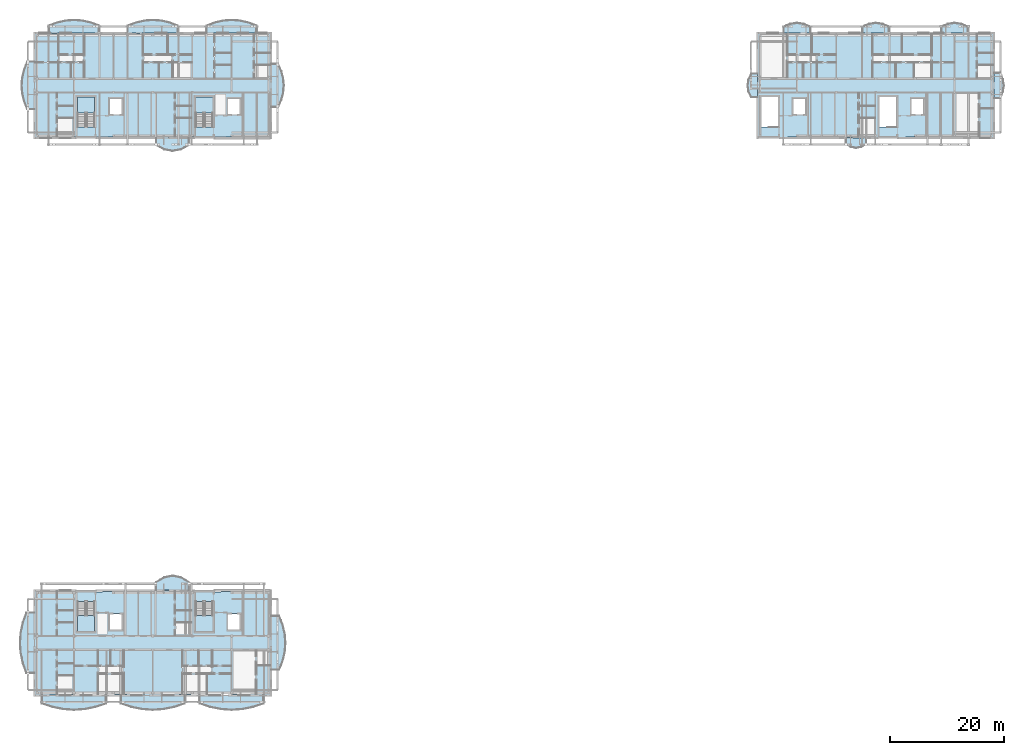
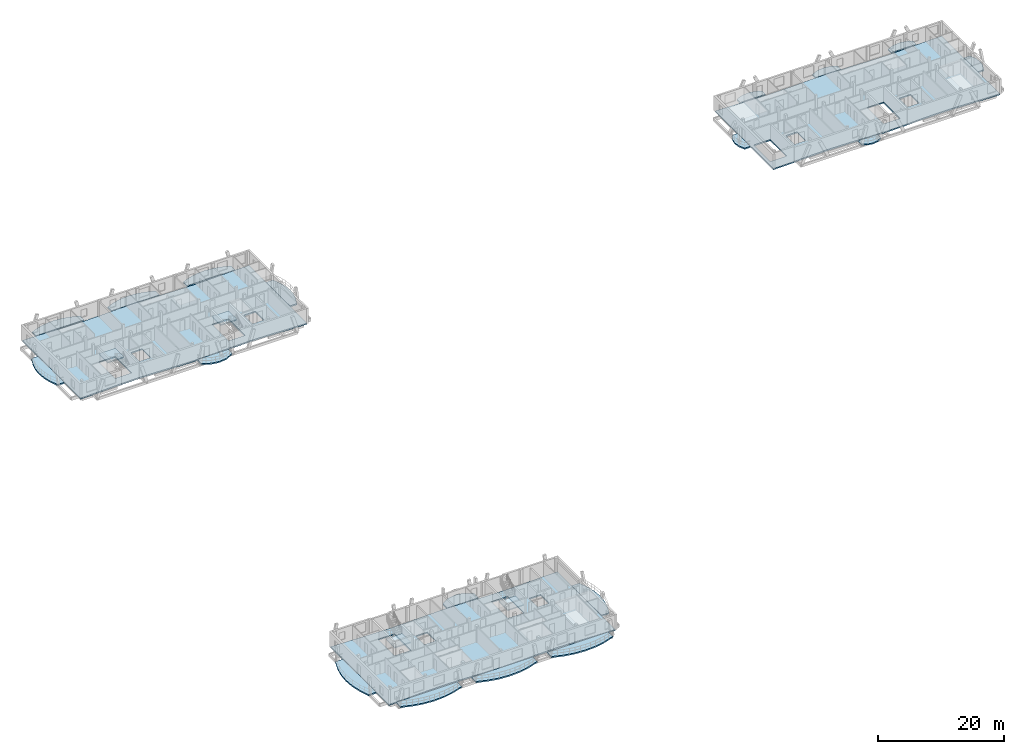
# One storey, part 6 of 29: 25 slabs, 4 elements without a shape of their own.
"""IFC4 building model written with IfcOpenShell, lengths in metres."""

from ifc_helpers import new_model, si_unit, direction, frame, origin, place, context, subcontext, project, spatial, polyline, outline, extrude, material, layer, layer_set, type_object, element, aggregate, save


model = new_model("IFC4")

# Units and contexts
model_context = context("Model", 3, precision=1e-05, world=origin(), true_north=direction((0.0, 1.0)))
body_context = subcontext(model_context, "Body", "Model", "MODEL_VIEW")
ifc_project = project(units=[si_unit("LENGTHUNIT", "METRE"), si_unit("AREAUNIT", "SQUARE_METRE"), si_unit("VOLUMEUNIT", "CUBIC_METRE"), si_unit("PLANEANGLEUNIT", "RADIAN"), si_unit("MASSUNIT", "GRAM", prefix="KILO")], contexts=[model_context])

# Site, building, storey
site_placement = place(None, origin())
site = spatial("IfcSite", under=ifc_project, at=site_placement, CompositionType="ELEMENT")
building_placement = place(site_placement, origin())
building = spatial("IfcBuilding", under=site, at=building_placement, Name="Zavelmont Quarter", CompositionType="ELEMENT")
storey_placement = place(building_placement, frame((0.0, 0.0, 33.60009765625)))
storey = spatial("IfcBuildingStorey", under=building, at=storey_placement, Name="L10", CompositionType="ELEMENT", Elevation=33.60009765625)

# Slabs
ifc_material_1 = material(Name="White architectural precast concrete C40/50", Category="concrete")
ifc_layer_1 = layer(ifc_material_1, 0.235107421875)
ifc_layer_set_1 = layer_set([ifc_layer_1], Name="White architectural precast concrete C40/50")
slab_type_1 = type_object("IfcSlabType", Name="SL-BL180", PredefinedType="FLOOR", material=ifc_layer_set_1)
slab_1_placement = place(storey_placement, frame((0.0, 0.0, -0.235107421875)))
element("IfcSlab", 1, at=slab_1_placement, inside=storey, type_object=slab_type_1, Name="L10 Block A street vase 1 balcony SL-BL180", PredefinedType="FLOOR", context=body_context, shape_type="SweptSolid", body=[
    extrude(outline(polyline([(1.305419921875, -0.02001953125), (1.305419921875, -1.42138671875), (3.170166015625, -2.041748046875), (5.03515625, -2.413818359375), (6.89990234375, -2.5380859375), (8.764892578125, -2.413818359375), (10.6298828125, -2.041748046875), (12.49462890625, -1.42138671875), (12.49462890625, -0.02001953125), (1.305419921875, -0.02001953125)])), origin(), (0.0, 0.0, 1.0), 0.235107421875),
])
slab_2_placement = place(storey_placement, frame((0.0, 0.0, -0.235107421875)))
element("IfcSlab", 2, at=slab_2_placement, inside=storey, type_object=slab_type_1, Name="L10 Block A courtyard central vase balcony SL-BL180", PredefinedType="FLOOR", context=body_context, shape_type="SweptSolid", body=[
    extrude(outline(polyline([(27.0, 18.419921875), (27.0, 19.8212890625), (25.574951171875, 20.65869140625), (24.14990234375, 20.93798828125), (22.72509765625, 20.65869140625), (21.300048828125, 19.8212890625), (21.300048828125, 18.419921875), (27.0, 18.419921875)])), origin(), (0.0, 0.0, 1.0), 0.235107421875),
])
slab_3_placement = place(storey_placement, frame((0.0, 0.0, -0.235107421875)))
element("IfcSlab", 3, at=slab_3_placement, inside=storey, type_object=slab_type_1, Name="L10 Block B street vase 1 balcony SL-BL180", PredefinedType="FLOOR", context=body_context, shape_type="SweptSolid", body=[
    extrude(outline(polyline([(11.2744140625, 116.02001953125), (11.2744140625, 117.260009765625), (9.81640625, 117.81005859375), (8.358154296875, 118.139892578125), (6.89990234375, 118.25), (5.44189453125, 118.139892578125), (3.983642578125, 117.81005859375), (2.525390625, 117.260009765625), (2.525390625, 116.02001953125), (11.2744140625, 116.02001953125)])), origin(), (0.0, 0.0, 1.0), 0.235107421875),
])
slab_4_placement = place(storey_placement, frame((0.0, 0.0, -0.235107421875)))
element("IfcSlab", 4, at=slab_4_placement, inside=storey, type_object=slab_type_1, Name="L10 Block B courtyard central vase balcony SL-BL180", PredefinedType="FLOOR", context=body_context, shape_type="SweptSolid", body=[
    extrude(outline(polyline([(21.300048828125, 97.580078125), (21.300048828125, 96.340087890625), (22.72509765625, 95.597412109375), (24.14990234375, 95.35009765625), (25.574951171875, 95.597412109375), (27.0, 96.340087890625), (27.0, 97.580078125), (21.300048828125, 97.580078125)])), origin(), (0.0, 0.0, 1.0), 0.235107421875),
])
slab_5_placement = place(storey_placement, frame((0.0, 0.0, -0.235107421875)))
element("IfcSlab", 5, at=slab_5_placement, inside=storey, type_object=slab_type_1, Name="L10 Block C street vase 4 balcony SL-BL180", PredefinedType="FLOOR", context=body_context, shape_type="SweptSolid", body=[
    extrude(outline(polyline([(163.40869140625, 116.02001953125), (163.40869140625, 117.10009765625), (162.25439453125, 117.571044921875), (161.10009765625, 117.72802734375), (159.945556640625, 117.571044921875), (158.791259765625, 117.10009765625), (158.791259765625, 116.02001953125), (163.40869140625, 116.02001953125)])), origin(), (0.0, 0.0, 1.0), 0.235107421875),
])
slab_6_placement = place(storey_placement, frame((0.0, 0.0, -0.235107421875)))
element("IfcSlab", 6, at=slab_6_placement, inside=storey, type_object=slab_type_1, Name="L10 Block C courtyard central vase balcony SL-BL180", PredefinedType="FLOOR", context=body_context, shape_type="SweptSolid", body=[
    extrude(outline(polyline([(142.073486328125, 97.580078125), (142.073486328125, 96.5), (142.9619140625, 96.029052734375), (143.85009765625, 95.8720703125), (144.73828125, 96.029052734375), (145.62646484375, 96.5), (145.62646484375, 97.580078125), (142.073486328125, 97.580078125)])), origin(), (0.0, 0.0, 1.0), 0.235107421875),
])
ifc_layer_2 = layer(ifc_material_1, 0.2451171875)
ifc_layer_set_2 = layer_set([ifc_layer_2], Name="White architectural precast concrete C40/50")
slab_type_2 = type_object("IfcSlabType", Name="SL-BL200", PredefinedType="FLOOR", material=ifc_layer_set_2)
slab_7_placement = place(storey_placement, frame((0.0, 0.0, -0.2451171875)))
element("IfcSlab", 7, at=slab_7_placement, inside=storey, type_object=slab_type_2, Name="L10 Block A street vase 3 balcony SL-BL200", PredefinedType="FLOOR", context=body_context, shape_type="SweptSolid", body=[
    extrude(outline(polyline([(28.9052734375, -0.02001953125), (28.9052734375, -1.42138671875), (30.770263671875, -2.041748046875), (32.635009765625, -2.413818359375), (34.5, -2.5380859375), (36.364990234375, -2.413818359375), (38.229736328125, -2.041748046875), (40.0947265625, -1.42138671875), (40.0947265625, -0.02001953125), (28.9052734375, -0.02001953125)])), origin(), (0.0, 0.0, 1.0), 0.2451171875),
])
slab_8_placement = place(storey_placement, frame((0.0, 0.0, -0.2451171875)))
element("IfcSlab", 8, at=slab_8_placement, inside=storey, type_object=slab_type_2, Name="L10 Block A courtyard return vase balcony SL-BL200", PredefinedType="FLOOR", context=body_context, shape_type="SweptSolid", body=[
    extrude(outline(polyline([(41.419921875, 4.4765625), (42.8212890625, 4.4765625), (43.441650390625, 6.051025390625), (43.81396484375, 7.62548828125), (43.93798828125, 9.199951171875), (43.81396484375, 10.7744140625), (43.441650390625, 12.348876953125), (42.8212890625, 13.92333984375), (41.419921875, 13.92333984375), (41.419921875, 4.4765625)])), origin(), (0.0, 0.0, 1.0), 0.2451171875),
])
slab_9_placement = place(storey_placement, frame((0.0, 0.0, -0.2451171875)))
element("IfcSlab", 9, at=slab_9_placement, inside=storey, type_object=slab_type_2, Name="L10 Block B street vase 3 balcony SL-BL200", PredefinedType="FLOOR", context=body_context, shape_type="SweptSolid", body=[
    extrude(outline(polyline([(38.87451171875, 116.02001953125), (38.87451171875, 117.260009765625), (37.416259765625, 117.81005859375), (35.958251953125, 118.139892578125), (34.5, 118.25), (33.041748046875, 118.139892578125), (31.583740234375, 117.81005859375), (30.12548828125, 117.260009765625), (30.12548828125, 116.02001953125), (38.87451171875, 116.02001953125)])), origin(), (0.0, 0.0, 1.0), 0.2451171875),
])
slab_10_placement = place(storey_placement, frame((0.0, 0.0, -0.2451171875)))
element("IfcSlab", 10, at=slab_10_placement, inside=storey, type_object=slab_type_2, Name="L10 Block B courtyard return vase balcony SL-BL200", PredefinedType="FLOOR", context=body_context, shape_type="SweptSolid", body=[
    extrude(outline(polyline([(41.419921875, 103.04736328125), (42.659912109375, 103.04736328125), (43.2099609375, 104.298095703125), (43.5400390625, 105.549072265625), (43.64990234375, 106.800048828125), (43.5400390625, 108.05078125), (43.2099609375, 109.3017578125), (42.659912109375, 110.552734375), (41.419921875, 110.552734375), (41.419921875, 103.04736328125)])), origin(), (0.0, 0.0, 1.0), 0.2451171875),
])
slab_11_placement = place(storey_placement, frame((0.0, 0.0, -0.2451171875)))
element("IfcSlab", 11, at=slab_11_placement, inside=storey, type_object=slab_type_2, Name="L10 Block C street vase 3 balcony SL-BL200", PredefinedType="FLOOR", context=body_context, shape_type="SweptSolid", body=[
    extrude(outline(polyline([(149.60888671875, 116.02001953125), (149.60888671875, 117.10009765625), (148.454345703125, 117.571044921875), (147.300048828125, 117.72802734375), (146.1455078125, 117.571044921875), (144.9912109375, 117.10009765625), (144.9912109375, 116.02001953125), (149.60888671875, 116.02001953125)])), origin(), (0.0, 0.0, 1.0), 0.2451171875),
])
slab_12_placement = place(storey_placement, frame((0.0, 0.0, -0.2451171875)))
element("IfcSlab", 12, at=slab_12_placement, inside=storey, type_object=slab_type_2, Name="L10 Block C courtyard return vase balcony SL-BL200", PredefinedType="FLOOR", context=body_context, shape_type="SweptSolid", body=[
    extrude(outline(polyline([(126.580078125, 108.851806640625), (125.5, 108.851806640625), (125.029052734375, 107.825927734375), (124.8720703125, 106.800048828125), (125.029052734375, 105.774169921875), (125.5, 104.748291015625), (126.580078125, 104.748291015625), (126.580078125, 108.851806640625)])), origin(), (0.0, 0.0, 1.0), 0.2451171875),
])
ifc_layer_3 = layer(ifc_material_1, 0.2548828125)
ifc_layer_set_3 = layer_set([ifc_layer_3], Name="White architectural precast concrete C40/50")
slab_type_3 = type_object("IfcSlabType", Name="SL-BL220", PredefinedType="FLOOR", material=ifc_layer_set_3)
slab_13_placement = place(storey_placement, frame((0.0, 0.0, -0.255126953125)))
element("IfcSlab", 13, at=slab_13_placement, inside=storey, type_object=slab_type_3, Name="L10 Block A street vase 2 balcony SL-BL220", PredefinedType="FLOOR", context=body_context, shape_type="SweptSolid", body=[
    extrude(outline(polyline([(15.105224609375, -0.02001953125), (15.105224609375, -1.42138671875), (16.97021484375, -2.041748046875), (18.835205078125, -2.413818359375), (20.699951171875, -2.5380859375), (22.56494140625, -2.413818359375), (24.4296875, -2.041748046875), (26.294677734375, -1.42138671875), (26.294677734375, -0.02001953125), (15.105224609375, -0.02001953125)])), origin(), (0.0, 0.0, 1.0), 0.255126953125),
])
slab_14_placement = place(storey_placement, frame((0.0, 0.0, -0.255126953125)))
element("IfcSlab", 14, at=slab_14_placement, inside=storey, type_object=slab_type_3, Name="L10 Block A boulevard vase balcony SL-BL220", PredefinedType="FLOOR", context=body_context, shape_type="SweptSolid", body=[
    extrude(outline(polyline([(-0.02001953125, 14.479736328125), (-1.42138671875, 14.479736328125), (-2.041748046875, 12.719970703125), (-2.413818359375, 10.9599609375), (-2.5380859375, 9.199951171875), (-2.413818359375, 7.440185546875), (-2.041748046875, 5.68017578125), (-1.42138671875, 3.920166015625), (-0.02001953125, 3.920166015625), (-0.02001953125, 14.479736328125)])), origin(), (0.0, 0.0, 1.0), 0.255126953125),
])
slab_15_placement = place(storey_placement, frame((0.0, 0.0, -0.255126953125)))
element("IfcSlab", 15, at=slab_15_placement, inside=storey, type_object=slab_type_3, Name="L10 Block B street vase 2 balcony SL-BL220", PredefinedType="FLOOR", context=body_context, shape_type="SweptSolid", body=[
    extrude(outline(polyline([(25.074462890625, 116.02001953125), (25.074462890625, 117.260009765625), (23.6162109375, 117.81005859375), (22.158203125, 118.139892578125), (20.699951171875, 118.25), (19.24169921875, 118.139892578125), (17.78369140625, 117.81005859375), (16.325439453125, 117.260009765625), (16.325439453125, 116.02001953125), (25.074462890625, 116.02001953125)])), origin(), (0.0, 0.0, 1.0), 0.255126953125),
])
slab_16_placement = place(storey_placement, frame((0.0, 0.0, -0.255126953125)))
element("IfcSlab", 16, at=slab_16_placement, inside=storey, type_object=slab_type_3, Name="L10 Block B boulevard vase balcony SL-BL220", PredefinedType="FLOOR", context=body_context, shape_type="SweptSolid", body=[
    extrude(outline(polyline([(-0.02001953125, 110.94921875), (-1.260009765625, 110.94921875), (-1.81005859375, 109.566162109375), (-2.139892578125, 108.18310546875), (-2.25, 106.800048828125), (-2.139892578125, 105.4169921875), (-1.81005859375, 104.033935546875), (-1.260009765625, 102.65087890625), (-0.02001953125, 102.65087890625), (-0.02001953125, 110.94921875)])), origin(), (0.0, 0.0, 1.0), 0.255126953125),
])
slab_17_placement = place(storey_placement, frame((0.0, 0.0, -0.255126953125)))
element("IfcSlab", 17, at=slab_17_placement, inside=storey, type_object=slab_type_3, Name="L10 Block C street vase 2 balcony SL-BL220", PredefinedType="FLOOR", context=body_context, shape_type="SweptSolid", body=[
    extrude(outline(polyline([(135.808837890625, 116.02001953125), (135.808837890625, 117.10009765625), (134.654296875, 117.571044921875), (133.5, 117.72802734375), (132.345703125, 117.571044921875), (131.191162109375, 117.10009765625), (131.191162109375, 116.02001953125), (135.808837890625, 116.02001953125)])), origin(), (0.0, 0.0, 1.0), 0.255126953125),
])
slab_18_placement = place(storey_placement, frame((0.0, 0.0, -0.255126953125)))
element("IfcSlab", 18, at=slab_18_placement, inside=storey, type_object=slab_type_3, Name="L10 Block C boulevard vase balcony SL-BL220", PredefinedType="FLOOR", context=body_context, shape_type="SweptSolid", body=[
    extrude(outline(polyline([(168.02001953125, 104.584716796875), (169.10009765625, 104.584716796875), (169.571044921875, 105.6923828125), (169.72802734375, 106.800048828125), (169.571044921875, 107.90771484375), (169.10009765625, 109.015380859375), (168.02001953125, 109.015380859375), (168.02001953125, 104.584716796875)])), origin(), (0.0, 0.0, 1.0), 0.255126953125),
])
ifc_material_2 = material(Name="Concrete C35/45", Category="concrete")
ifc_layer_4 = layer(ifc_material_2, 0.239990234375)
ifc_layer_set_4 = layer_set([ifc_layer_4], Name="Concrete C35/45")
slab_type_4 = type_object("IfcSlabType", Name="SL-FL240", PredefinedType="FLOOR", material=ifc_layer_set_4)
slab_19_placement = place(storey_placement, frame((0.0, 0.0, -0.239990234375)))
element("IfcSlab", 19, at=slab_19_placement, inside=storey, type_object=slab_type_4, Name="L10 Block A floor slab SL-FL240", PredefinedType="FLOOR", context=body_context, shape_type="SweptSolid", body=[
    extrude(outline(polyline([(0.0, 0.0), (3.449951171875, 0.070068359375), (6.89990234375, 0.2099609375), (10.35009765625, 0.280029296875), (13.800048828125, 0.2099609375), (17.25, 0.070068359375), (20.699951171875, 0.0), (24.14990234375, 0.070068359375), (27.60009765625, 0.2099609375), (31.050048828125, 0.280029296875), (34.5, 0.2099609375), (37.949951171875, 0.070068359375), (41.39990234375, 0.0), (41.39990234375, 3.679931640625), (41.39990234375, 7.360107421875), (41.39990234375, 11.0400390625), (41.39990234375, 14.719970703125), (41.39990234375, 18.39990234375), (37.949951171875, 18.330078125), (34.5, 18.18994140625), (31.050048828125, 18.1201171875), (27.60009765625, 18.18994140625), (24.14990234375, 18.330078125), (20.699951171875, 18.39990234375), (17.25, 18.330078125), (13.800048828125, 18.18994140625), (10.35009765625, 18.1201171875), (6.89990234375, 18.18994140625), (3.449951171875, 18.330078125), (0.0, 18.39990234375), (0.0, 14.719970703125), (0.0, 11.0400390625), (0.0, 7.360107421875), (0.0, 3.679931640625), (0.0, 0.0)]), holes=[polyline([(7.5, 16.425048828125), (7.5, 11.199951171875), (10.5, 11.199951171875), (10.5, 16.425048828125), (7.5, 16.425048828125)]), polyline([(13.14990234375, 11.5), (15.25, 11.5), (15.25, 14.25), (13.14990234375, 14.25), (13.14990234375, 11.5)]), polyline([(28.199951171875, 16.425048828125), (28.199951171875, 11.199951171875), (31.199951171875, 11.199951171875), (31.199951171875, 16.425048828125), (28.199951171875, 16.425048828125)]), polyline([(33.85009765625, 11.5), (35.949951171875, 11.5), (35.949951171875, 14.25), (33.85009765625, 14.25), (33.85009765625, 11.5)])]), origin(), (0.0, 0.0, 1.0), 0.239990234375),
])
slab_20_placement = place(storey_placement, frame((0.0, 0.0, -0.239990234375)))
element("IfcSlab", 20, at=slab_20_placement, inside=storey, type_object=slab_type_4, Name="L10 Block B floor slab SL-FL240", PredefinedType="FLOOR", context=body_context, shape_type="SweptSolid", body=[
    extrude(outline(polyline([(0.0, 97.60009765625), (3.449951171875, 97.669921875), (6.89990234375, 97.81005859375), (10.35009765625, 97.8798828125), (13.800048828125, 97.81005859375), (17.25, 97.669921875), (20.699951171875, 97.60009765625), (24.14990234375, 97.669921875), (27.60009765625, 97.81005859375), (31.050048828125, 97.8798828125), (34.5, 97.81005859375), (37.949951171875, 97.669921875), (41.39990234375, 97.60009765625), (41.39990234375, 101.280029296875), (41.39990234375, 104.9599609375), (41.39990234375, 108.639892578125), (41.39990234375, 112.320068359375), (41.39990234375, 116.0), (37.949951171875, 115.929931640625), (34.5, 115.7900390625), (31.050048828125, 115.719970703125), (27.60009765625, 115.7900390625), (24.14990234375, 115.929931640625), (20.699951171875, 116.0), (17.25, 115.929931640625), (13.800048828125, 115.7900390625), (10.35009765625, 115.719970703125), (6.89990234375, 115.7900390625), (3.449951171875, 115.929931640625), (0.0, 116.0), (0.0, 112.320068359375), (0.0, 108.639892578125), (0.0, 104.9599609375), (0.0, 101.280029296875), (0.0, 97.60009765625)]), holes=[polyline([(10.5, 99.574951171875), (10.5, 104.800048828125), (7.5, 104.800048828125), (7.5, 99.574951171875), (10.5, 99.574951171875)]), polyline([(13.14990234375, 101.75), (15.25, 101.75), (15.25, 104.5), (13.14990234375, 104.5), (13.14990234375, 101.75)]), polyline([(31.199951171875, 99.574951171875), (31.199951171875, 104.800048828125), (28.199951171875, 104.800048828125), (28.199951171875, 99.574951171875), (31.199951171875, 99.574951171875)]), polyline([(33.85009765625, 101.75), (35.949951171875, 101.75), (35.949951171875, 104.5), (33.85009765625, 104.5), (33.85009765625, 101.75)])]), origin(), (0.0, 0.0, 1.0), 0.239990234375),
])
slab_21_placement = place(storey_placement, frame((0.0, 0.0, -0.239990234375)))
element("IfcSlab", 21, at=slab_21_placement, inside=storey, type_object=slab_type_4, Name="L10 Block C floor slab SL-FL240", PredefinedType="FLOOR", context=body_context, shape_type="SweptSolid", body=[
    extrude(outline(polyline([(126.60009765625, 97.60009765625), (130.050048828125, 97.669921875), (133.5, 97.81005859375), (136.949951171875, 97.8798828125), (140.39990234375, 97.81005859375), (143.85009765625, 97.669921875), (147.300048828125, 97.60009765625), (150.75, 97.669921875), (154.199951171875, 97.81005859375), (157.64990234375, 97.8798828125), (161.10009765625, 97.81005859375), (164.550048828125, 97.669921875), (168.0, 97.60009765625), (168.0, 101.280029296875), (168.0, 104.9599609375), (168.0, 108.639892578125), (168.0, 112.320068359375), (168.0, 116.0), (164.550048828125, 115.929931640625), (161.10009765625, 115.7900390625), (157.64990234375, 115.719970703125), (154.199951171875, 115.7900390625), (150.75, 115.929931640625), (147.300048828125, 116.0), (143.85009765625, 115.929931640625), (140.39990234375, 115.7900390625), (136.949951171875, 115.719970703125), (133.5, 115.7900390625), (130.050048828125, 115.929931640625), (126.60009765625, 116.0), (126.60009765625, 112.320068359375), (126.60009765625, 108.639892578125), (126.60009765625, 104.9599609375), (126.60009765625, 101.280029296875), (126.60009765625, 97.60009765625)]), holes=[polyline([(130.199951171875, 99.574951171875), (130.199951171875, 104.800048828125), (127.199951171875, 104.800048828125), (127.199951171875, 99.574951171875), (130.199951171875, 99.574951171875)]), polyline([(132.85009765625, 101.75), (134.949951171875, 101.75), (134.949951171875, 104.5), (132.85009765625, 104.5), (132.85009765625, 101.75)]), polyline([(150.89990234375, 99.574951171875), (150.89990234375, 104.800048828125), (147.89990234375, 104.800048828125), (147.89990234375, 99.574951171875), (150.89990234375, 99.574951171875)]), polyline([(153.550048828125, 101.75), (155.64990234375, 101.75), (155.64990234375, 104.5), (153.550048828125, 104.5), (153.550048828125, 101.75)])]), origin(), (0.0, 0.0, 1.0), 0.239990234375),
])

# Stair, slab
stair_type = type_object("IfcStairType", Name="STR-1400-1778", PredefinedType="HALF_TURN_STAIR", material=ifc_material_2)
stair_1_placement = place(storey_placement, origin())
stair_1 = element("IfcStair", 22, at=stair_1_placement, inside=storey, type_object=stair_type, Name="L10 protected stair ST01", PredefinedType="HALF_TURN_STAIR")
ifc_layer_5 = layer(ifc_material_2, 0.199951171875)
ifc_layer_set_5 = layer_set([ifc_layer_5], Name="Concrete C35/45")
slab_type_5 = type_object("IfcSlabType", Name="SL-LND200", PredefinedType="LANDING", material=ifc_layer_set_5)
slab_22_placement = place(storey_placement, frame((0.0, 0.0, 1.39990234375)))
slab_22 = element("IfcSlab", 23, at=slab_22_placement, type_object=slab_type_5, Name="ST01 landing 1", PredefinedType="LANDING", context=body_context, shape_type="SweptSolid", body=[
    extrude(outline(polyline([(7.5, 13.969970703125), (7.5, 11.199951171875), (10.5, 11.199951171875), (10.5, 13.969970703125), (7.5, 13.969970703125)])), origin(), (0.0, 0.0, 1.0), 0.199951171875),
])
aggregate(stair_1, [slab_22])

stair_2_placement = place(storey_placement, origin())
stair_2 = element("IfcStair", 24, at=stair_2_placement, inside=storey, type_object=stair_type, Name="L10 protected stair ST02", PredefinedType="HALF_TURN_STAIR")
slab_23_placement = place(storey_placement, frame((0.0, 0.0, 1.39990234375)))
slab_23 = element("IfcSlab", 25, at=slab_23_placement, type_object=slab_type_5, Name="ST02 landing 1", PredefinedType="LANDING", context=body_context, shape_type="SweptSolid", body=[
    extrude(outline(polyline([(28.199951171875, 13.969970703125), (28.199951171875, 11.199951171875), (31.199951171875, 11.199951171875), (31.199951171875, 13.969970703125), (28.199951171875, 13.969970703125)])), origin(), (0.0, 0.0, 1.0), 0.199951171875),
])
aggregate(stair_2, [slab_23])

stair_3_placement = place(storey_placement, origin())
stair_3 = element("IfcStair", 26, at=stair_3_placement, inside=storey, type_object=stair_type, Name="L10 protected stair ST03", PredefinedType="HALF_TURN_STAIR")
slab_24_placement = place(storey_placement, frame((0.0, 0.0, 1.39990234375)))
slab_24 = element("IfcSlab", 27, at=slab_24_placement, type_object=slab_type_5, Name="ST03 landing 1", PredefinedType="LANDING", context=body_context, shape_type="SweptSolid", body=[
    extrude(outline(polyline([(10.5, 102.030029296875), (10.5, 104.800048828125), (7.5, 104.800048828125), (7.5, 102.030029296875), (10.5, 102.030029296875)])), origin(), (0.0, 0.0, 1.0), 0.199951171875),
])
aggregate(stair_3, [slab_24])

stair_4_placement = place(storey_placement, origin())
stair_4 = element("IfcStair", 28, at=stair_4_placement, inside=storey, type_object=stair_type, Name="L10 protected stair ST04", PredefinedType="HALF_TURN_STAIR")
slab_25_placement = place(storey_placement, frame((0.0, 0.0, 1.39990234375)))
slab_25 = element("IfcSlab", 29, at=slab_25_placement, type_object=slab_type_5, Name="ST04 landing 1", PredefinedType="LANDING", context=body_context, shape_type="SweptSolid", body=[
    extrude(outline(polyline([(31.199951171875, 102.030029296875), (31.199951171875, 104.800048828125), (28.199951171875, 104.800048828125), (28.199951171875, 102.030029296875), (31.199951171875, 102.030029296875)])), origin(), (0.0, 0.0, 1.0), 0.199951171875),
])
aggregate(stair_4, [slab_25])

save(model, "model.ifc")
